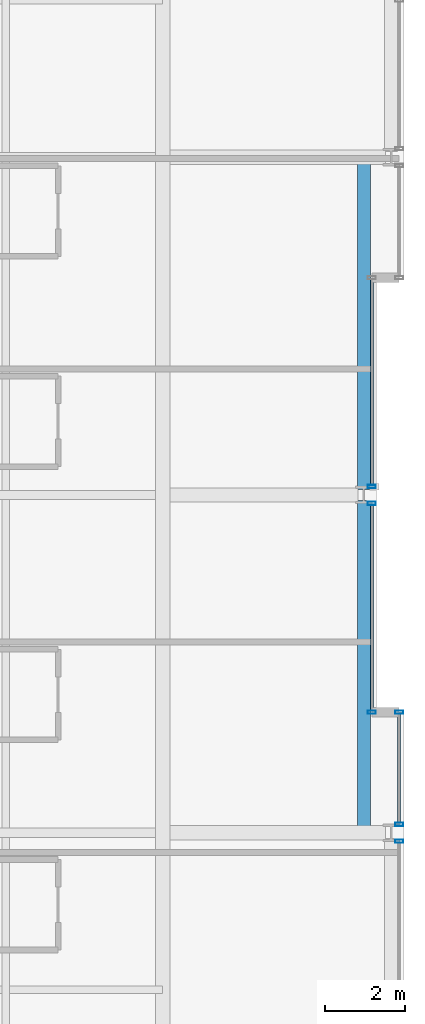
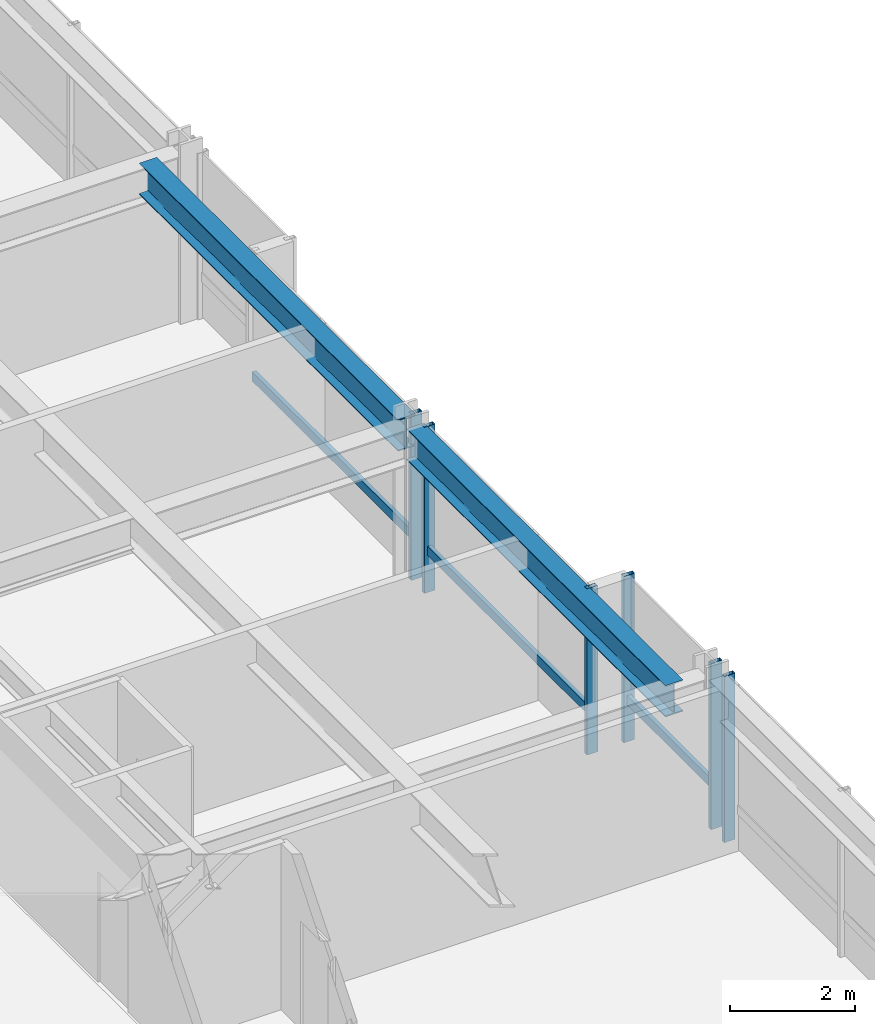
# One storey, part 15 of 35: 9 members, 2 beams, 4 elements without a shape of their own.
"""IFC4 building model written with IfcOpenShell, lengths in metres."""

import ifcopenshell
import ifcopenshell.guid

model = None  # the IFC model being written
_history = None  # IfcOwnerHistory: only IFC2X3 demands one
_inside = {}  # id of a spatial element -> (the spatial element, [elements in it])
_under = {}  # id of a project, library or spatial element -> (it, [spatial elements below it])
_declared = {}  # id of a project -> (the project, [libraries it declares])
_typed = {}  # id of a type object -> (the type object, [elements of that type])
_made_of = {}  # id of a material, layer set ... -> (it, [elements and type objects made of it])


def new_model(schema):
    """Start an empty IFC model of exactly this schema.

    Asked for "IFC4X3", IfcOpenShell would pick the latest addendum, in which some entities
    have other attributes; the version numbers below select the first issue.
    IFC2X3 requires an IfcOwnerHistory on every rooted entity: one is made here for all.
    """
    global model, _history
    if schema == "IFC4X3":
        model = ifcopenshell.file(schema_version=(4, 3, 0, 0))
    else:
        model = ifcopenshell.file(schema=schema)
    _inside.clear()
    _under.clear()
    _declared.clear()
    _typed.clear()
    _made_of.clear()
    _history = None
    if model.schema == "IFC2X3":
        org = make("IfcOrganization", Name="unknown")
        user = make(
            "IfcPersonAndOrganization",
            ThePerson=make("IfcPerson", FamilyName="unknown"),
            TheOrganization=org,
        )
        app = make(
            "IfcApplication",
            ApplicationDeveloper=org,
            Version="unknown",
            ApplicationFullName="unknown",
            ApplicationIdentifier="unknown",
        )
        _history = make(
            "IfcOwnerHistory",
            OwningUser=user,
            OwningApplication=app,
            ChangeAction="ADDED",
            CreationDate=0,
        )
    return model


def make(cls, **values):
    """One entity of the class cls with the attributes given. An attribute that is None is left unset."""
    return model.create_entity(
        cls, **{name: value for name, value in values.items() if value is not None}
    )


def rooted(cls, **values):
    """An entity with a GlobalId (a new one), such as an element, a storey or a relation."""
    return make(cls, GlobalId=ifcopenshell.guid.new(), OwnerHistory=_history, **values)


def si_unit(unit_type, name, prefix=None):
    """IfcSIUnit, for example si_unit("LENGTHUNIT", "METRE", prefix="MILLI")."""
    return make("IfcSIUnit", UnitType=unit_type, Prefix=prefix, Name=name)


def assignment(units):
    """IfcUnitAssignment: the units of a project."""
    return None if units is None else make("IfcUnitAssignment", Units=units)


def point(xyz):
    """IfcCartesianPoint."""
    return None if xyz is None else make("IfcCartesianPoint", Coordinates=xyz)


def direction(xyz):
    """IfcDirection."""
    return None if xyz is None else make("IfcDirection", DirectionRatios=xyz)


def frame(location, z_axis=None, x_axis=None):
    """IfcAxis2Placement3D, a coordinate frame: its origin and axes. An axis left out is left unset."""
    return make(
        "IfcAxis2Placement3D",
        Location=point(location),
        Axis=direction(z_axis),
        RefDirection=direction(x_axis),
    )


def frame_2d(location, x_axis=None):
    """IfcAxis2Placement2D, a coordinate frame in the plane: its origin and x axis."""
    return make(
        "IfcAxis2Placement2D", Location=point(location), RefDirection=direction(x_axis)
    )


def origin():
    """The frame at (0, 0, 0) with its axes left unset."""
    return frame((0.0, 0.0, 0.0))


def origin_2d():
    """The frame at (0, 0) in the plane with its x axis left unset."""
    return frame_2d((0.0, 0.0))


def place(relative_to, where):
    """IfcLocalPlacement: puts the frame where relative to a parent placement (None: the world)."""
    return make(
        "IfcLocalPlacement", PlacementRelTo=relative_to, RelativePlacement=where
    )


def context(
    kind, dimensions, precision=None, world=None, true_north=None, identifier=None
):
    """IfcGeometricRepresentationContext, for example the 3D "Model" context."""
    return make(
        "IfcGeometricRepresentationContext",
        ContextIdentifier=identifier,
        ContextType=kind,
        CoordinateSpaceDimension=dimensions,
        Precision=precision,
        WorldCoordinateSystem=world,
        TrueNorth=true_north,
    )


def subcontext(parent, identifier, kind, view, scale=None):
    """IfcGeometricRepresentationSubContext, for example "Body" below "Model"."""
    return make(
        "IfcGeometricRepresentationSubContext",
        ContextIdentifier=identifier,
        ContextType=kind,
        ParentContext=parent,
        TargetScale=scale,
        TargetView=view,
    )


def project(units=None, contexts=None):
    """IfcProject with its units and contexts."""
    return rooted(
        "IfcProject",
        Name="project",
        RepresentationContexts=contexts,
        UnitsInContext=assignment(units),
    )


def spatial(cls, under=None, at=None, **own):
    """A site, building, storey or space (cls), placed at a placement, below another one or the project."""
    s = rooted(cls, ObjectPlacement=at, **own)
    if under is not None:
        _under.setdefault(under.id(), (under, []))[1].append(s)
    return s


def profile(cls, at=None, kind="AREA", **sizes):
    """A parametric profile (cls). Its sizes go by their IFC names, for example OverallWidth=200.0."""
    return make(cls, ProfileType=kind, Position=at, **sizes)


def hollow_rectangle(**sizes):
    """IfcRectangleHollowProfileDef."""
    return profile("IfcRectangleHollowProfileDef", **sizes)


def i_section(**sizes):
    """IfcIShapeProfileDef."""
    return profile("IfcIShapeProfileDef", **sizes)


def extrude(swept, where, along, depth):
    """IfcExtrudedAreaSolid: the profile swept, set in the frame where, extruded along a direction by depth."""
    return make(
        "IfcExtrudedAreaSolid",
        SweptArea=swept,
        Position=where,
        ExtrudedDirection=direction(along),
        Depth=depth,
    )


def shape(context_of_items, identifier, shape_type, items):
    """IfcShapeRepresentation: the items that make up one representation, for example the "Body"."""
    return make(
        "IfcShapeRepresentation",
        ContextOfItems=context_of_items,
        RepresentationIdentifier=identifier,
        RepresentationType=shape_type,
        Items=items,
    )


def material(Name=None, Category=None):
    """IfcMaterial."""
    return make("IfcMaterial", Name=Name, Category=Category)


def layer(
    of_material, thickness, ventilated=None, Name=None, Category=None, Priority=None
):
    """IfcMaterialLayer: one layer of a wall or slab, of a material (None: an air gap)."""
    return make(
        "IfcMaterialLayer",
        Material=of_material,
        LayerThickness=thickness,
        IsVentilated=ventilated,
        Name=Name,
        Category=Category,
        Priority=Priority,
    )


def layer_set(layers, Name=None):
    """IfcMaterialLayerSet."""
    return make("IfcMaterialLayerSet", MaterialLayers=layers, LayerSetName=Name)


def material_profile(
    of_material, cross_section, Name=None, Category=None, Priority=None
):
    """IfcMaterialProfile: a cross section and its material."""
    return make(
        "IfcMaterialProfile",
        Name=Name,
        Material=of_material,
        Profile=cross_section,
        Priority=Priority,
        Category=Category,
    )


def profile_set(profiles, Name=None, composite=None):
    """IfcMaterialProfileSet."""
    return make(
        "IfcMaterialProfileSet",
        Name=Name,
        MaterialProfiles=profiles,
        CompositeProfile=composite,
    )


def made_of(thing, what):
    """Note that an element or type object is made of a material, layer set ...; save() writes the relation."""
    if what is not None:
        _made_of.setdefault(what.id(), (what, []))[1].append(thing)
    return thing


def type_object(cls, material=None, **own):
    """A type object (cls), such as IfcWallType, which elements share."""
    return made_of(rooted(cls, **own), material)


def element(
    cls,
    number,
    at=None,
    inside=None,
    cuts=None,
    type_object=None,
    material=None,
    context=None,
    identifier="Body",
    shape_type=None,
    held_by="IfcProductDefinitionShape",
    body=None,
    shapes=None,
    **own,
):
    """One element of the class cls, such as IfcWall. Its Tag is "e" and its number.

    at: its placement. inside: the storey or other place that contains it. cuts: it is an
    opening in that element (IfcRelVoidsElement). A single representation is given by context,
    identifier, shape_type and body (its items); several are given by shapes. held_by: the class
    of the entity that holds the representations. save() writes the other relations.
    """
    e = rooted(cls, Tag="e%d" % number, ObjectPlacement=at, **own)
    if body is not None:
        shapes = [shape(context, identifier, shape_type, body)]
    if shapes is not None:
        e.Representation = make(held_by, Representations=shapes)
    if inside is not None:
        _inside.setdefault(inside.id(), (inside, []))[1].append(e)
    if cuts is not None:
        rooted(
            "IfcRelVoidsElement", RelatingBuildingElement=cuts, RelatedOpeningElement=e
        )
    if type_object is not None:
        _typed.setdefault(type_object.id(), (type_object, []))[1].append(e)
    return made_of(e, material)


def aggregate(whole, parts):
    """IfcRelAggregates: a whole, such as a stair, and the parts it consists of."""
    return rooted("IfcRelAggregates", RelatingObject=whole, RelatedObjects=parts)


def save(model, path):
    """Write the relations noted so far, then the file.

    IfcRelAggregates (storeys below a building ...), IfcRelContainedInSpatialStructure (elements
    in a storey), IfcRelDefinesByType, IfcRelAssociatesMaterial and IfcRelDeclares: one each for
    every whole, place, type object, material and project.
    """
    for whole, parts in _under.values():
        aggregate(whole, parts)
    for where, things in _inside.values():
        rooted(
            "IfcRelContainedInSpatialStructure",
            RelatedElements=things,
            RelatingStructure=where,
        )
    for kind, things in _typed.values():
        rooted("IfcRelDefinesByType", RelatedObjects=things, RelatingType=kind)
    for what, things in _made_of.values():
        rooted("IfcRelAssociatesMaterial", RelatedObjects=things, RelatingMaterial=what)
    for by, libraries in _declared.values():
        rooted("IfcRelDeclares", RelatingContext=by, RelatedDefinitions=libraries)
    model.write(path)


model = new_model("IFC4")

# Units and contexts
model_context = context("Model", 3, precision=1e-05, world=origin(), true_north=direction((0.0, 1.0)))
body_context = subcontext(model_context, "Body", "Model", "MODEL_VIEW")
ifc_project = project(units=[si_unit("LENGTHUNIT", "METRE"), si_unit("AREAUNIT", "SQUARE_METRE"), si_unit("VOLUMEUNIT", "CUBIC_METRE"), si_unit("PLANEANGLEUNIT", "RADIAN"), si_unit("MASSUNIT", "GRAM", prefix="KILO")], contexts=[model_context])

# Site, building, storey
site_placement = place(None, origin())
site = spatial("IfcSite", under=ifc_project, at=site_placement, CompositionType="ELEMENT")
building_placement = place(site_placement, origin())
building = spatial("IfcBuilding", under=site, at=building_placement, Name="Drelvath Grand Hotel", CompositionType="ELEMENT")
storey_placement = place(building_placement, frame((0.0, 0.0, 123.300048828125)))
storey = spatial("IfcBuildingStorey", under=building, at=storey_placement, Name="L31", CompositionType="ELEMENT", Elevation=123.300048828125)

# Curtain wall, member
ifc_material_1 = material(Name="Champagne Bronze Anodised Aluminium Frame", Category="aluminium")
ifc_layer = layer(ifc_material_1, 0.199951171875)
ifc_layer_set = layer_set([ifc_layer], Name="Champagne Bronze Anodised Aluminium Frame")
curtain_wall_type = type_object("IfcCurtainWallType", Name="Stick Curtain Wall CW-03 Champagne Bronze Mid-Rise", PredefinedType="NOTDEFINED", material=ifc_layer_set)
curtain_wall_1_placement = place(storey_placement, origin())
curtain_wall_1 = element("IfcCurtainWall", 1, at=curtain_wall_1_placement, inside=storey, type_object=curtain_wall_type, Name="L31 CW-03 Curtain Wall CW03-L31-EM1", PredefinedType="NOTDEFINED")
ifc_material_profile_1 = material_profile(ifc_material_1, hollow_rectangle(XDim=0.074951171875, YDim=0.179931640625, WallThickness=0.0048828125, at=origin_2d()), Name="HSS180X75X5")
ifc_profile_set_1 = profile_set([ifc_material_profile_1], Name="Champagne Bronze Anodised Aluminium Frame")
member_type_1 = type_object("IfcMemberType", Name="Curtain Wall Horizontal Transom CW-03 HSS180X75X5", PredefinedType="USERDEFINED", material=ifc_profile_set_1)
member_1_placement = place(storey_placement, frame((21.39990234375, 26.75048828125, 0.81005859375), z_axis=(0.0, -1.0, 0.0), x_axis=(1.0, 0.0, 0.0)))
member_1 = element("IfcMember", 2, at=member_1_placement, type_object=member_type_1, Name="CW03-L31-EM1 Sill Transom", ObjectType="TRANSOM", PredefinedType="USERDEFINED", context=body_context, shape_type="SweptSolid", body=[
    extrude(hollow_rectangle(XDim=0.074951171875, YDim=0.179931640625, WallThickness=0.0048828125, at=origin_2d()), origin(), (0.0, 0.0, 1.0), 5.110595703125),
])

curtain_wall_2_placement = place(storey_placement, origin())
curtain_wall_2 = element("IfcCurtainWall", 3, at=curtain_wall_2_placement, inside=storey, type_object=curtain_wall_type, Name="L31 CW-03 Curtain Wall CW03-L31-EM2", PredefinedType="NOTDEFINED")
member_2_placement = place(storey_placement, frame((21.39990234375, 32.360107421875, 0.81005859375), z_axis=(0.0, -1.0, 0.0), x_axis=(1.0, 0.0, 0.0)))
member_2 = element("IfcMember", 4, at=member_2_placement, type_object=member_type_1, Name="CW03-L31-EM2 Sill Transom", ObjectType="TRANSOM", PredefinedType="USERDEFINED", context=body_context, shape_type="SweptSolid", body=[
    extrude(hollow_rectangle(XDim=0.074951171875, YDim=0.179931640625, WallThickness=0.0048828125, at=origin_2d()), origin(), (0.0, 0.0, 1.0), 5.110595703125),
])

curtain_wall_3_placement = place(storey_placement, origin())
curtain_wall_3 = element("IfcCurtainWall", 5, at=curtain_wall_3_placement, inside=storey, type_object=curtain_wall_type, Name="L31 CW-03 Curtain Wall CW03-L31-ES3", PredefinedType="NOTDEFINED")
member_3_placement = place(storey_placement, frame((22.080078125, 21.56005859375, 0.81005859375), z_axis=(0.0, -1.0, 0.0), x_axis=(1.0, 0.0, 0.0)))
member_3 = element("IfcMember", 6, at=member_3_placement, type_object=member_type_1, Name="CW03-L31-ES3 Sill Transom", ObjectType="TRANSOM", PredefinedType="USERDEFINED", context=body_context, shape_type="SweptSolid", body=[
    extrude(hollow_rectangle(XDim=0.074951171875, YDim=0.179931640625, WallThickness=0.0048828125, at=origin_2d()), origin(), (0.0, 0.0, 1.0), 2.710693359375),
])

# Member
ifc_material_profile_2 = material_profile(ifc_material_1, hollow_rectangle(XDim=0.080078125, YDim=0.199951171875, WallThickness=0.0048828125, at=origin_2d()), Name="HSS200X80X5")
ifc_profile_set_2 = profile_set([ifc_material_profile_2], Name="Champagne Bronze Anodised Aluminium Frame")
member_type_2 = type_object("IfcMemberType", Name="Curtain Wall Vertical Mullion CW-03 HSS200X80X5", PredefinedType="MULLION", material=ifc_profile_set_2)
member_4_placement = place(storey_placement, frame((21.39990234375, 26.79052734375, 0.0), z_axis=(0.0, 0.0, 1.0), x_axis=(0.0, 1.0, 0.0)))
member_4 = element("IfcMember", 7, at=member_4_placement, type_object=member_type_2, Name="CW03-L31-EM1 Mullion 1", PredefinedType="MULLION", context=body_context, shape_type="SweptSolid", body=[
    extrude(hollow_rectangle(XDim=0.080078125, YDim=0.199951171875, WallThickness=0.0048828125, at=origin_2d()), origin(), (0.0, 0.0, 1.0), 3.239990234375),
])

member_5_placement = place(storey_placement, frame((21.39990234375, 21.60009765625, 0.0), z_axis=(0.0, 0.0, 1.0), x_axis=(0.0, 1.0, 0.0)))
member_5 = element("IfcMember", 8, at=member_5_placement, type_object=member_type_2, Name="CW03-L31-EM1 Mullion 2", PredefinedType="MULLION", context=body_context, shape_type="SweptSolid", body=[
    extrude(hollow_rectangle(XDim=0.080078125, YDim=0.199951171875, WallThickness=0.0048828125, at=origin_2d()), origin(), (0.0, 0.0, 1.0), 3.239990234375),
])

aggregate(curtain_wall_1, [member_4, member_5, member_1])

member_6_placement = place(storey_placement, frame((21.39990234375, 27.20947265625, 0.0), z_axis=(0.0, 0.0, 1.0), x_axis=(0.0, 1.0, 0.0)))
member_6 = element("IfcMember", 9, at=member_6_placement, type_object=member_type_2, Name="CW03-L31-EM2 Mullion 2", PredefinedType="MULLION", context=body_context, shape_type="SweptSolid", body=[
    extrude(hollow_rectangle(XDim=0.080078125, YDim=0.199951171875, WallThickness=0.0048828125, at=origin_2d()), origin(), (0.0, 0.0, 1.0), 3.239990234375),
])

aggregate(curtain_wall_2, [member_6, member_2])

# Curtain wall, member
curtain_wall_4_placement = place(storey_placement, origin())
curtain_wall_4 = element("IfcCurtainWall", 10, at=curtain_wall_4_placement, inside=storey, type_object=curtain_wall_type, Name="L31 CW-03 Curtain Wall CW03-L31-ES2", PredefinedType="NOTDEFINED")
member_7_placement = place(storey_placement, frame((22.080078125, 18.390625, 0.0), z_axis=(0.0, 0.0, 1.0), x_axis=(0.0, 1.0, 0.0)))
member_7 = element("IfcMember", 11, at=member_7_placement, type_object=member_type_2, Name="CW03-L31-ES2 Mullion 1", PredefinedType="MULLION", context=body_context, shape_type="SweptSolid", body=[
    extrude(hollow_rectangle(XDim=0.080078125, YDim=0.199951171875, WallThickness=0.0048828125, at=origin_2d()), origin(), (0.0, 0.0, 1.0), 3.239990234375),
])
aggregate(curtain_wall_4, [member_7])

# Member
member_8_placement = place(storey_placement, frame((22.080078125, 21.60009765625, 0.0), z_axis=(0.0, 0.0, 1.0), x_axis=(0.0, 1.0, 0.0)))
member_8 = element("IfcMember", 12, at=member_8_placement, type_object=member_type_2, Name="CW03-L31-ES3 Mullion 1", PredefinedType="MULLION", context=body_context, shape_type="SweptSolid", body=[
    extrude(hollow_rectangle(XDim=0.080078125, YDim=0.199951171875, WallThickness=0.0048828125, at=origin_2d()), origin(), (0.0, 0.0, 1.0), 3.239990234375),
])

member_9_placement = place(storey_placement, frame((22.080078125, 18.809326171875, 0.0), z_axis=(0.0, 0.0, 1.0), x_axis=(0.0, 1.0, 0.0)))
member_9 = element("IfcMember", 13, at=member_9_placement, type_object=member_type_2, Name="CW03-L31-ES3 Mullion 2", PredefinedType="MULLION", context=body_context, shape_type="SweptSolid", body=[
    extrude(hollow_rectangle(XDim=0.080078125, YDim=0.199951171875, WallThickness=0.0048828125, at=origin_2d()), origin(), (0.0, 0.0, 1.0), 3.239990234375),
])

aggregate(curtain_wall_3, [member_8, member_9, member_3])

# Beams
ifc_material_2 = material(Name="Steel ASTM A992 Gr 50", Category="steel")
ifc_material_profile_3 = material_profile(ifc_material_2, i_section(OverallWidth=0.323974609375, OverallDepth=0.611083984375, WebThickness=0.0126953125, FlangeThickness=0.01904296875, FilletRadius=0.02197265625, at=origin_2d()), Name="W24X104")
ifc_profile_set_3 = profile_set([ifc_material_profile_3], Name="Steel ASTM A992 Gr 50")
beam_type = type_object("IfcBeamType", Name="Perimeter Spandrel Beam W24X104", PredefinedType="SPANDREL", material=ifc_profile_set_3)
for number, where, z_axis, x_axis, name in (
    (14, (21.199951171875, 18.60009765625, 2.9345703125), (0.0, 1.0, 0.0), (-1.0, 0.0, 0.0), "L31 Spandrel East Mid S"),
    (15, (21.199951171875, 27.139892578125, 2.9345703125), (0.0, 1.0, 0.0), (-1.0, 0.0, 0.0), "L31 Spandrel East Mid N"),
):
    element("IfcBeam", number, at=place(storey_placement, frame(where, z_axis=z_axis, x_axis=x_axis)), inside=storey, type_object=beam_type, Name=name, PredefinedType="SPANDREL", context=body_context, shape_type="SweptSolid", body=[
        extrude(i_section(OverallWidth=0.323974609375, OverallDepth=0.611083984375, WebThickness=0.0126953125, FlangeThickness=0.01904296875, FilletRadius=0.02197265625, at=origin_2d()), origin(), (0.0, 0.0, 1.0), 8.260009765625),
    ])

save(model, "model.ifc")
